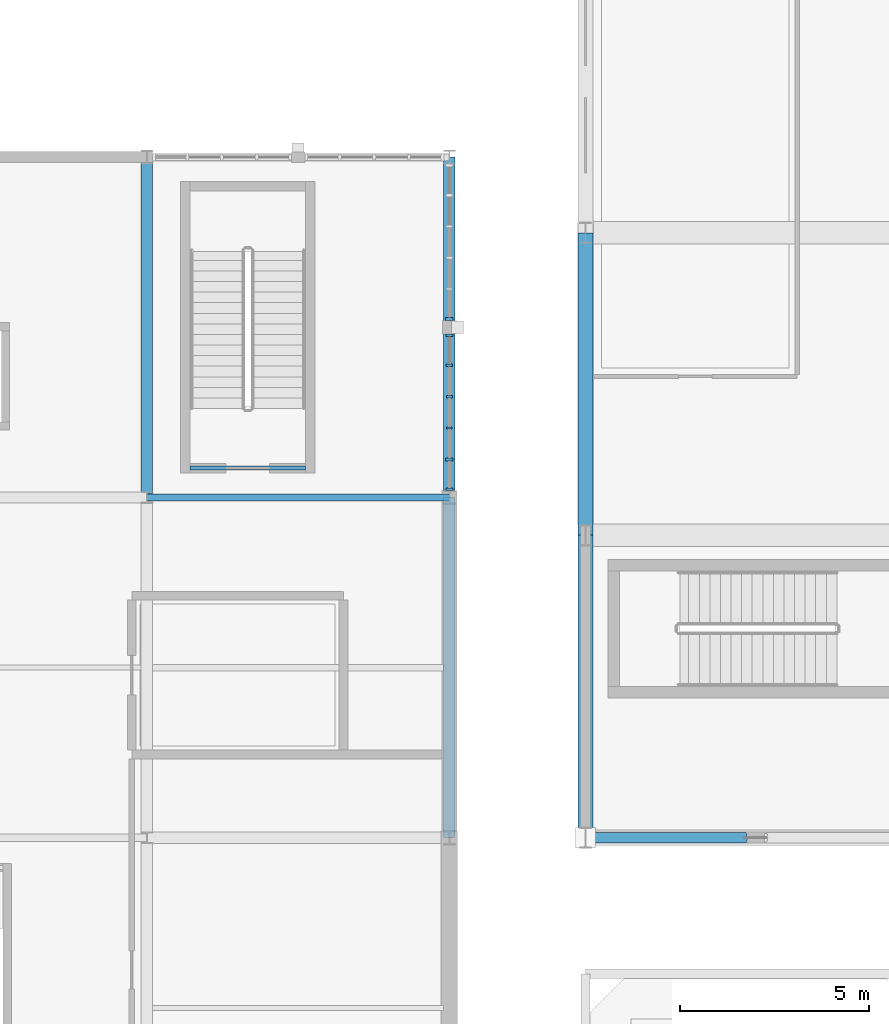
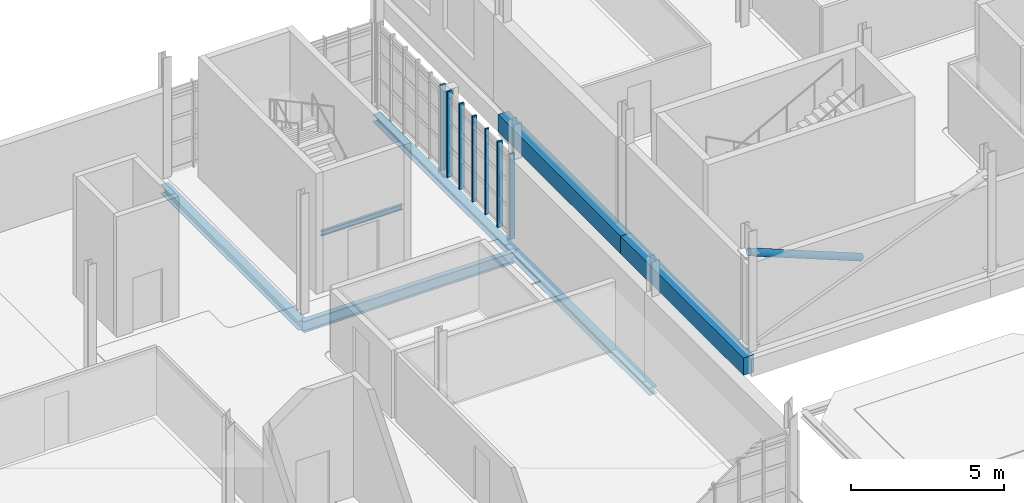
# One storey, part 14 of 128: 8 members, 7 beams, 2 elements without a shape of their own.
"""IFC4 building model written with IfcOpenShell, lengths in metres."""

from ifc_helpers import new_model, si_unit, direction, frame, origin, origin_2d, place, context, subcontext, project, spatial, rectangle, hollow_circle, i_section, extrude, material, material_profile, profile_set, type_object, element, aggregate, save


model = new_model("IFC4")

# Units and contexts
model_context = context("Model", 3, precision=1e-05, world=origin(), true_north=direction((0.0, 1.0)))
body_context = subcontext(model_context, "Body", "Model", "MODEL_VIEW")
ifc_project = project(units=[si_unit("LENGTHUNIT", "METRE"), si_unit("AREAUNIT", "SQUARE_METRE"), si_unit("VOLUMEUNIT", "CUBIC_METRE"), si_unit("PLANEANGLEUNIT", "RADIAN"), si_unit("MASSUNIT", "GRAM", prefix="KILO")], contexts=[model_context])

# Site, building, storey
site_placement = place(None, origin())
site = spatial("IfcSite", under=ifc_project, at=site_placement, CompositionType="ELEMENT")
building_placement = place(site_placement, origin())
building = spatial("IfcBuilding", under=site, at=building_placement, Name="Serraforn Aerial Cableway Station", CompositionType="ELEMENT")
storey_placement = place(building_placement, frame((0.0, 0.0, 9.0)))
storey = spatial("IfcBuildingStorey", under=building, at=storey_placement, Name="L02", CompositionType="ELEMENT", Elevation=9.0)

# Beams
ifc_material_1 = material(Name="Concrete C35/45", Category="concrete")
ifc_material_profile_1 = material_profile(ifc_material_1, rectangle(XDim=0.39990234375, YDim=0.699951171875, at=origin_2d()), Name="RC 400x700")
ifc_profile_set_1 = profile_set([ifc_material_profile_1], Name="Concrete C35/45")
beam_type_1 = type_object("IfcBeamType", Name="BM-RC-400x700E", PredefinedType="SPANDREL", material=ifc_profile_set_1)
for number, where, z_axis, x_axis, name in (
    (1, (27.60009765625, 18.0, -0.7099609375), (0.0, 1.0, 0.0), (-1.0, 0.0, 0.0), "Grid Girder Y CV L02 X1-1"),
    (2, (27.60009765625, 26.0, -0.7099609375), (0.0, 1.0, 0.0), (-1.0, 0.0, 0.0), "Grid Girder Y CV L02 X1-2"),
):
    element("IfcBeam", number, at=place(storey_placement, frame(where, z_axis=z_axis, x_axis=x_axis)), inside=storey, type_object=beam_type_1, Name=name, PredefinedType="SPANDREL", context=body_context, shape_type="SweptSolid", body=[
        extrude(rectangle(XDim=0.39990234375, YDim=0.699951171875, at=origin_2d()), origin(), (0.0, 0.0, 1.0), 8.0),
    ])
ifc_material_2 = material(Name="Steel S355JR", Category="steel")
ifc_material_profile_2 = material_profile(ifc_material_2, i_section(OverallWidth=0.300048828125, OverallDepth=0.360107421875, WebThickness=0.010009765625, FlangeThickness=0.017578125, FilletRadius=0.027099609375, at=origin_2d()), Name="HEA 360")
ifc_profile_set_2 = profile_set([ifc_material_profile_2], Name="Steel S355JR")
beam_type_2 = type_object("IfcBeamType", Name="BM-ST-HEA360", PredefinedType="BEAM", material=ifc_profile_set_2)
beam_1_placement = place(storey_placement, frame((16.0, 27.0, -0.5), z_axis=(0.0, 1.0, 0.0), x_axis=(-1.0, 0.0, 0.0)))
element("IfcBeam", 3, at=beam_1_placement, inside=storey, type_object=beam_type_2, Name="Grid Girder Y W L02 X3-4", PredefinedType="BEAM", context=body_context, shape_type="SweptSolid", body=[
    extrude(i_section(OverallWidth=0.300048828125, OverallDepth=0.360107421875, WebThickness=0.010009765625, FlangeThickness=0.017578125, FilletRadius=0.027099609375, at=origin_2d()), origin(), (0.0, 0.0, 1.0), 9.0),
])
ifc_material_3 = material(Name="Steel S355J2", Category="steel")
ifc_material_profile_3 = material_profile(ifc_material_3, i_section(OverallWidth=0.300048828125, OverallDepth=0.300048828125, WebThickness=0.010986328125, FlangeThickness=0.01904296875, FilletRadius=0.027099609375, at=origin_2d()), Name="HEB 300")
ifc_profile_set_3 = profile_set([ifc_material_profile_3], Name="Steel S355J2")
beam_type_3 = type_object("IfcBeamType", Name="BM-ST-HEB300", PredefinedType="BEAM", material=ifc_profile_set_3)
for number, where, z_axis, x_axis, name in (
    (4, (24.0, 18.0, -0.469970703125), (0.0, 1.0, 0.0), (-1.0, 0.0, 0.0), "Grid Girder Y W L02 X4-3"),
    (5, (24.0, 27.0, -0.469970703125), (0.0, 1.0, 0.0), (-1.0, 0.0, 0.0), "Grid Girder Y W L02 X4-4"),
):
    element("IfcBeam", number, at=place(storey_placement, frame(where, z_axis=z_axis, x_axis=x_axis)), inside=storey, type_object=beam_type_3, Name=name, PredefinedType="BEAM", context=body_context, shape_type="SweptSolid", body=[
        extrude(i_section(OverallWidth=0.300048828125, OverallDepth=0.300048828125, WebThickness=0.010986328125, FlangeThickness=0.01904296875, FilletRadius=0.027099609375, at=origin_2d()), origin(), (0.0, 0.0, 1.0), 9.0),
    ])
ifc_material_profile_4 = material_profile(ifc_material_2, i_section(OverallWidth=0.10009765625, OverallDepth=0.199951171875, WebThickness=0.005615234375, FlangeThickness=0.008544921875, FilletRadius=0.011962890625, at=origin_2d()), Name="IPE 200")
ifc_profile_set_4 = profile_set([ifc_material_profile_4], Name="Steel S355JR")
beam_type_4 = type_object("IfcBeamType", Name="BM-ST-IPE200", PredefinedType="LINTEL", material=ifc_profile_set_4)
beam_2_placement = place(storey_placement, frame((20.199951171875, 27.77490234375, 2.27490234375), z_axis=(-1.0, 0.0, 0.0), x_axis=(0.0, -1.0, 0.0)))
element("IfcBeam", 6, at=beam_2_placement, inside=storey, type_object=beam_type_4, Name="Stair Core Door Lintel D-S07", PredefinedType="LINTEL", context=body_context, shape_type="SweptSolid", body=[
    extrude(i_section(OverallWidth=0.10009765625, OverallDepth=0.199951171875, WebThickness=0.005615234375, FlangeThickness=0.008544921875, FilletRadius=0.011962890625, at=origin_2d()), origin(), (0.0, 0.0, 1.0), 3.06005859375),
])
ifc_material_profile_5 = material_profile(ifc_material_2, i_section(OverallWidth=0.18994140625, OverallDepth=0.449951171875, WebThickness=0.009521484375, FlangeThickness=0.0146484375, FilletRadius=0.02099609375, at=origin_2d()), Name="IPE 450")
ifc_profile_set_5 = profile_set([ifc_material_profile_5], Name="Steel S355JR")
beam_type_5 = type_object("IfcBeamType", Name="BM-ST-IPE450", PredefinedType="BEAM", material=ifc_profile_set_5)
beam_3_placement = place(storey_placement, frame((16.0, 27.0, -0.544921875), z_axis=(1.0, 0.0, 0.0), x_axis=(0.0, 1.0, 0.0)))
element("IfcBeam", 7, at=beam_3_placement, inside=storey, type_object=beam_type_5, Name="Grid Girder X W L02 Y4-3", PredefinedType="BEAM", context=body_context, shape_type="SweptSolid", body=[
    extrude(i_section(OverallWidth=0.18994140625, OverallDepth=0.449951171875, WebThickness=0.009521484375, FlangeThickness=0.0146484375, FilletRadius=0.02099609375, at=origin_2d()), origin(), (0.0, 0.0, 1.0), 8.0),
])

# Curtain wall, members
ifc_material_4 = material(Name="Anodised bronze unitised curtain wall")
curtain_wall_type_1 = type_object("IfcCurtainWallType", Name="CW-SYS-5", PredefinedType="USERDEFINED", material=ifc_material_4)
curtain_wall_1_placement = place(storey_placement, origin())
curtain_wall_1 = element("IfcCurtainWall", 8, at=curtain_wall_1_placement, inside=storey, type_object=curtain_wall_type_1, Name="Unitised Curtain Wall CW-W-L02-E3A", ObjectType="UNITISED CURTAIN WALL", PredefinedType="USERDEFINED")
ifc_material_5 = material(Name="Anodised bronze extruded aluminium", Category="aluminium")
ifc_material_profile_6 = material_profile(ifc_material_5, rectangle(XDim=0.054931640625, YDim=0.139892578125, at=origin_2d()), Name="CW MULLION 55x140")
ifc_profile_set_6 = profile_set([ifc_material_profile_6], Name="Anodised bronze extruded aluminium")
member_type_1 = type_object("IfcMemberType", Name="CW-MUL-1", PredefinedType="MULLION", material=ifc_profile_set_6)
member_1_placement = place(storey_placement, frame((24.0, 28.834716796875, 0.0), z_axis=(0.0, 0.0, 1.0), x_axis=(0.0, 1.0, 0.0)))
member_1 = element("IfcMember", 9, at=member_1_placement, type_object=member_type_1, Name="Curtain Wall Mullion CW-W-L02-E3A-M3", PredefinedType="MULLION", context=body_context, shape_type="SweptSolid", body=[
    extrude(rectangle(XDim=0.054931640625, YDim=0.139892578125, at=origin_2d()), origin(), (0.0, 0.0, 1.0), 3.419921875),
])
ifc_material_profile_7 = material_profile(ifc_material_5, rectangle(XDim=0.06005859375, YDim=0.159912109375, at=origin_2d()), Name="CW MULLION 60x160")
ifc_profile_set_7 = profile_set([ifc_material_profile_7], Name="Anodised bronze extruded aluminium")
member_type_2 = type_object("IfcMemberType", Name="CW-MUL-2", PredefinedType="MULLION", material=ifc_profile_set_7)
member_2_placement = place(storey_placement, frame((24.0, 29.6630859375, 0.0), z_axis=(0.0, 0.0, 1.0), x_axis=(0.0, 1.0, 0.0)))
member_2 = element("IfcMember", 10, at=member_2_placement, type_object=member_type_2, Name="Curtain Wall Mullion CW-W-L02-E3A-M4", PredefinedType="MULLION", context=body_context, shape_type="SweptSolid", body=[
    extrude(rectangle(XDim=0.06005859375, YDim=0.159912109375, at=origin_2d()), origin(), (0.0, 0.0, 1.0), 3.419921875),
])
ifc_material_profile_8 = material_profile(ifc_material_5, rectangle(XDim=0.06494140625, YDim=0.175048828125, at=origin_2d()), Name="CW MULLION 65x175")
ifc_profile_set_8 = profile_set([ifc_material_profile_8], Name="Anodised bronze extruded aluminium")
member_type_3 = type_object("IfcMemberType", Name="CW-MUL-3", PredefinedType="MULLION", material=ifc_profile_set_8)
member_3_placement = place(storey_placement, frame((24.0, 30.49169921875, 0.0), z_axis=(0.0, 0.0, 1.0), x_axis=(0.0, 1.0, 0.0)))
member_3 = element("IfcMember", 11, at=member_3_placement, type_object=member_type_3, Name="Curtain Wall Mullion CW-W-L02-E3A-M5", PredefinedType="MULLION", context=body_context, shape_type="SweptSolid", body=[
    extrude(rectangle(XDim=0.06494140625, YDim=0.175048828125, at=origin_2d()), origin(), (0.0, 0.0, 1.0), 3.419921875),
])
ifc_material_profile_9 = material_profile(ifc_material_5, rectangle(XDim=0.070068359375, YDim=0.18994140625, at=origin_2d()), Name="CW MULLION 70x190")
ifc_profile_set_9 = profile_set([ifc_material_profile_9], Name="Anodised bronze extruded aluminium")
member_type_4 = type_object("IfcMemberType", Name="CW-MUL-4", PredefinedType="MULLION", material=ifc_profile_set_9)
member_4_placement = place(storey_placement, frame((24.0, 27.212890625, 0.0), z_axis=(0.0, 0.0, 1.0), x_axis=(0.0, 1.0, 0.0)))
member_4 = element("IfcMember", 12, at=member_4_placement, type_object=member_type_4, Name="Curtain Wall Mullion CW-W-L02-E3A-M1", PredefinedType="MULLION", context=body_context, shape_type="SweptSolid", body=[
    extrude(rectangle(XDim=0.070068359375, YDim=0.18994140625, at=origin_2d()), origin(), (0.0, 0.0, 1.0), 3.419921875),
])
member_5_placement = place(storey_placement, frame((24.0, 31.284912109375, 0.0), z_axis=(0.0, 0.0, 1.0), x_axis=(0.0, 1.0, 0.0)))
member_5 = element("IfcMember", 13, at=member_5_placement, type_object=member_type_4, Name="Curtain Wall Mullion CW-W-L02-E3A-M6", PredefinedType="MULLION", context=body_context, shape_type="SweptSolid", body=[
    extrude(rectangle(XDim=0.070068359375, YDim=0.18994140625, at=origin_2d()), origin(), (0.0, 0.0, 1.0), 3.419921875),
])
ifc_material_profile_10 = material_profile(ifc_material_5, rectangle(XDim=0.074951171875, YDim=0.199951171875, at=origin_2d()), Name="CW MULLION 75x200")
ifc_profile_set_10 = profile_set([ifc_material_profile_10], Name="Anodised bronze extruded aluminium")
member_type_5 = type_object("IfcMemberType", Name="CW-MUL-5", PredefinedType="MULLION", material=ifc_profile_set_10)
member_6_placement = place(storey_placement, frame((24.0, 28.00634765625, 0.0), z_axis=(0.0, 0.0, 1.0), x_axis=(0.0, 1.0, 0.0)))
member_6 = element("IfcMember", 14, at=member_6_placement, type_object=member_type_5, Name="Curtain Wall Mullion CW-W-L02-E3A-M2", PredefinedType="MULLION", context=body_context, shape_type="SweptSolid", body=[
    extrude(rectangle(XDim=0.074951171875, YDim=0.199951171875, at=origin_2d()), origin(), (0.0, 0.0, 1.0), 3.419921875),
])
aggregate(curtain_wall_1, [member_4, member_6, member_1, member_2, member_3, member_5])

# Curtain wall, member
curtain_wall_type_2 = type_object("IfcCurtainWallType", Name="CW-SYS-6", PredefinedType="USERDEFINED", material=ifc_material_4)
curtain_wall_2_placement = place(storey_placement, origin())
curtain_wall_2 = element("IfcCurtainWall", 15, at=curtain_wall_2_placement, inside=storey, type_object=curtain_wall_type_2, Name="Unitised Curtain Wall CW-W-L02-E3B", ObjectType="UNITISED CURTAIN WALL", PredefinedType="USERDEFINED")
member_7_placement = place(storey_placement, frame((24.0, 31.717529296875, 0.0), z_axis=(0.0, 0.0, 1.0), x_axis=(0.0, 1.0, 0.0)))
member_7 = element("IfcMember", 16, at=member_7_placement, type_object=member_type_5, Name="Curtain Wall Mullion CW-W-L02-E3B-M1", PredefinedType="MULLION", context=body_context, shape_type="SweptSolid", body=[
    extrude(rectangle(XDim=0.074951171875, YDim=0.199951171875, at=origin_2d()), origin(), (0.0, 0.0, 1.0), 3.419921875),
])
aggregate(curtain_wall_2, [member_7])

# Member
ifc_material_profile_11 = material_profile(ifc_material_3, hollow_circle(Radius=0.136474609375, WallThickness=0.012451171875, at=origin_2d()), Name="CHS 273.0x12.5")
ifc_profile_set_11 = profile_set([ifc_material_profile_11], Name="Steel S355J2")
member_type_6 = type_object("IfcMemberType", Name="MEM-WB-CHS273", PredefinedType="BRACE", material=ifc_profile_set_11)
member_8_placement = place(storey_placement, frame((27.60009765625, 18.0, 3.800048828125), z_axis=(0.9284656033, 0.0, -0.371418394117), x_axis=(0.0, 1.0, 0.0)))
element("IfcMember", 17, at=member_8_placement, inside=storey, type_object=member_type_6, Name="Split X-Brace Upper Segment 1-1", PredefinedType="BRACE", context=body_context, shape_type="SweptSolid", body=[
    extrude(hollow_circle(Radius=0.136474609375, WallThickness=0.012451171875, at=origin_2d()), origin(), (0.0, 0.0, 1.0), 4.555908203125),
])

save(model, "model.ifc")
